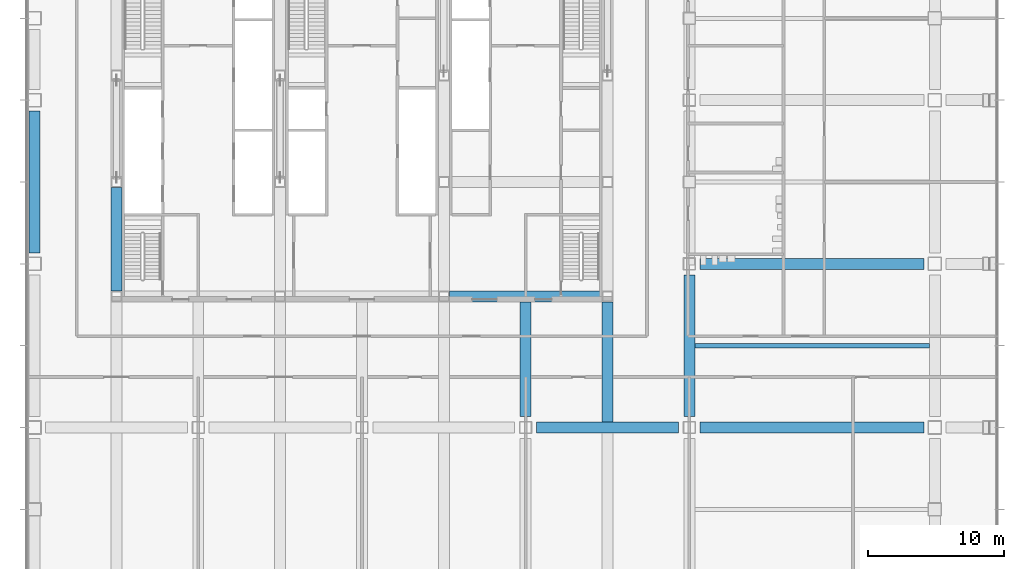
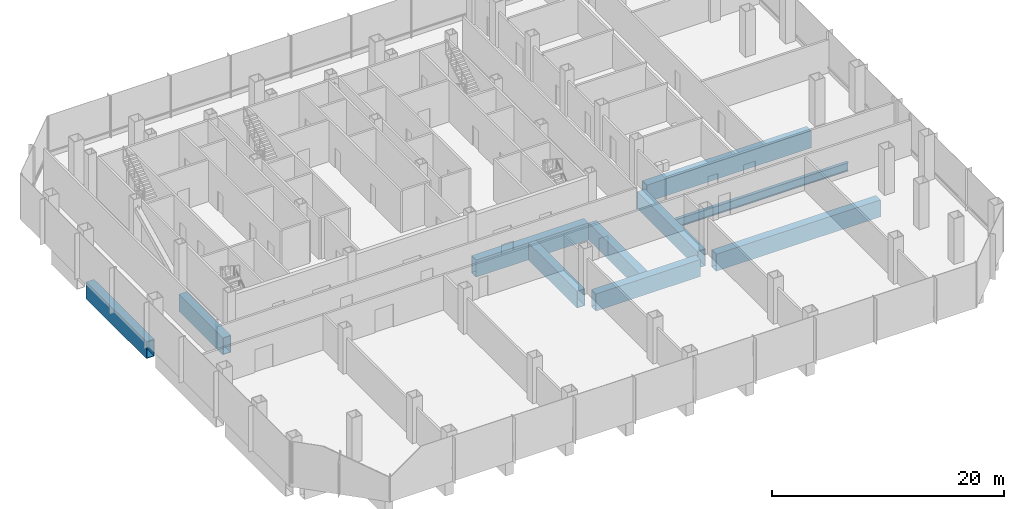
# One storey, part 9 of 34: 10 beams.
"""IFC4 building model written with IfcOpenShell, lengths in metres."""

from ifc_helpers import new_model, si_unit, direction, frame, origin, origin_2d, place, context, subcontext, project, spatial, hollow_rectangle, i_section, extrude, material, material_profile, profile_set, type_object, element, save


model = new_model("IFC4")

# Units and contexts
model_context = context("Model", 3, precision=1e-05, world=origin(), true_north=direction((0.0, 1.0)))
body_context = subcontext(model_context, "Body", "Model", "MODEL_VIEW")
ifc_project = project(units=[si_unit("LENGTHUNIT", "METRE"), si_unit("AREAUNIT", "SQUARE_METRE"), si_unit("VOLUMEUNIT", "CUBIC_METRE"), si_unit("PLANEANGLEUNIT", "RADIAN"), si_unit("MASSUNIT", "GRAM", prefix="KILO")], contexts=[model_context])

# Site, building, storey
site_placement = place(None, origin())
site = spatial("IfcSite", under=ifc_project, at=site_placement, CompositionType="ELEMENT")
building_placement = place(site_placement, origin())
building = spatial("IfcBuilding", under=site, at=building_placement, Name="Sorahane Residences", CompositionType="ELEMENT")
storey_placement = place(building_placement, frame((0.0, 0.0, 20.39990234375)))
storey = spatial("IfcBuildingStorey", under=building, at=storey_placement, Name="L02", CompositionType="ELEMENT", Elevation=20.39990234375)

# Beams
ifc_material_1 = material(Name="Steel Q355B", Category="steel")
ifc_material_profile_1 = material_profile(ifc_material_1, i_section(OverallWidth=0.300048828125, OverallDepth=0.89990234375, WebThickness=0.01611328125, FlangeThickness=0.028076171875, FilletRadius=0.028076171875, at=origin_2d()), Name="HN 900x300x16x28")
ifc_profile_set_1 = profile_set([ifc_material_profile_1], Name="Steel Q355B")
beam_type_1 = type_object("IfcBeamType", Name="Steel floor beam HN 900x300x16x28 Q355B", PredefinedType="BEAM", material=ifc_profile_set_1)
beam_1_placement = place(storey_placement, frame((48.400146484375, 18.0, -0.849853515625), z_axis=(1.0, 0.0, 0.0), x_axis=(0.0, 1.0, 0.0)))
element("IfcBeam", 1, at=beam_1_placement, inside=storey, type_object=beam_type_1, Name="Beam L02 081", PredefinedType="BEAM", context=body_context, shape_type="SweptSolid", body=[
    extrude(i_section(OverallWidth=0.300048828125, OverallDepth=0.89990234375, WebThickness=0.01611328125, FlangeThickness=0.028076171875, FilletRadius=0.028076171875, at=origin_2d()), origin(), (0.0, 0.0, 1.0), 17.19970703125),
])
ifc_material_2 = material(Name="Steel Q420GJ", Category="steel")
ifc_material_profile_2 = material_profile(ifc_material_2, hollow_rectangle(XDim=0.800048828125, YDim=1.800048828125, WallThickness=0.050048828125, at=origin_2d()), Name="BOX 1800x800x50")
ifc_profile_set_2 = profile_set([ifc_material_profile_2], Name="Steel Q420GJ")
beam_type_2 = type_object("IfcBeamType", Name="Steel transfer girder BOX 1800x800x50 Q420GJ", PredefinedType="BEAM", material=ifc_profile_set_2)
beam_2_placement = place(storey_placement, frame((36.800048828125, 12.0, -1.2998046875), z_axis=(1.0, 0.0, 0.0), x_axis=(0.0, 1.0, 0.0)))
element("IfcBeam", 2, at=beam_2_placement, inside=storey, type_object=beam_type_2, Name="Beam L02 009", PredefinedType="BEAM", context=body_context, shape_type="SweptSolid", body=[
    extrude(hollow_rectangle(XDim=0.800048828125, YDim=1.800048828125, WallThickness=0.050048828125, at=origin_2d()), origin(), (0.0, 0.0, 1.0), 10.39990234375),
])
for number, where, z_axis, x_axis, name in (
    (3, (48.800048828125, 12.0, -1.2998046875), (1.0, 0.0, 0.0), (0.0, 1.0, 0.0), "Beam L02 010"),
    (4, (48.800048828125, 24.0, -1.2998046875), (1.0, 0.0, 0.0), (0.0, 1.0, 0.0), "Beam L02 012"),
):
    element("IfcBeam", number, at=place(storey_placement, frame(where, z_axis=z_axis, x_axis=x_axis)), inside=storey, type_object=beam_type_2, Name=name, PredefinedType="BEAM", context=body_context, shape_type="SweptSolid", body=[
        extrude(hollow_rectangle(XDim=0.800048828125, YDim=1.800048828125, WallThickness=0.050048828125, at=origin_2d()), origin(), (0.0, 0.0, 1.0), 16.39990234375),
    ])
beam_3_placement = place(storey_placement, frame((30.39990234375, 21.60009765625, -1.2998046875), z_axis=(1.0, 0.0, 0.0), x_axis=(0.0, 1.0, 0.0)))
element("IfcBeam", 5, at=beam_3_placement, inside=storey, type_object=beam_type_2, Name="Beam L02 023", PredefinedType="BEAM", context=body_context, shape_type="SweptSolid", body=[
    extrude(hollow_rectangle(XDim=0.800048828125, YDim=1.800048828125, WallThickness=0.050048828125, at=origin_2d()), origin(), (0.0, 0.0, 1.0), 11.2001953125),
])
beam_4_placement = place(storey_placement, frame((0.0, 24.800048828125, -1.2998046875), z_axis=(0.0, 1.0, 0.0), x_axis=(-1.0, 0.0, 0.0)))
element("IfcBeam", 6, at=beam_4_placement, inside=storey, type_object=beam_type_2, Name="Beam L02 033", PredefinedType="BEAM", context=body_context, shape_type="SweptSolid", body=[
    extrude(hollow_rectangle(XDim=0.800048828125, YDim=1.800048828125, WallThickness=0.050048828125, at=origin_2d()), origin(), (0.0, 0.0, 1.0), 10.39990234375),
])
beam_5_placement = place(storey_placement, frame((36.0, 12.800048828125, -1.2998046875), z_axis=(0.0, 1.0, 0.0), x_axis=(-1.0, 0.0, 0.0)))
element("IfcBeam", 7, at=beam_5_placement, inside=storey, type_object=beam_type_2, Name="Beam L02 042", PredefinedType="BEAM", context=body_context, shape_type="SweptSolid", body=[
    extrude(hollow_rectangle(XDim=0.800048828125, YDim=1.800048828125, WallThickness=0.050048828125, at=origin_2d()), origin(), (0.0, 0.0, 1.0), 8.39990234375),
])
beam_6_placement = place(storey_placement, frame((48.0, 12.800048828125, -1.2998046875), z_axis=(0.0, 1.0, 0.0), x_axis=(-1.0, 0.0, 0.0)))
element("IfcBeam", 8, at=beam_6_placement, inside=storey, type_object=beam_type_2, Name="Beam L02 045", PredefinedType="BEAM", context=body_context, shape_type="SweptSolid", body=[
    extrude(hollow_rectangle(XDim=0.800048828125, YDim=1.800048828125, WallThickness=0.050048828125, at=origin_2d()), origin(), (0.0, 0.0, 1.0), 10.39990234375),
])
beam_7_placement = place(storey_placement, frame((6.0, 22.0, -1.2998046875), z_axis=(0.0, 1.0, 0.0), x_axis=(-1.0, 0.0, 0.0)))
element("IfcBeam", 9, at=beam_7_placement, inside=storey, type_object=beam_type_2, Name="Beam L02 057", PredefinedType="BEAM", context=body_context, shape_type="SweptSolid", body=[
    extrude(hollow_rectangle(XDim=0.800048828125, YDim=1.800048828125, WallThickness=0.050048828125, at=origin_2d()), origin(), (0.0, 0.0, 1.0), 7.60009765625),
])
beam_8_placement = place(storey_placement, frame((42.0, 12.39990234375, -1.2998046875), z_axis=(0.0, 1.0, 0.0), x_axis=(-1.0, 0.0, 0.0)))
element("IfcBeam", 10, at=beam_8_placement, inside=storey, type_object=beam_type_2, Name="Beam L02 074", PredefinedType="BEAM", context=body_context, shape_type="SweptSolid", body=[
    extrude(hollow_rectangle(XDim=0.800048828125, YDim=1.800048828125, WallThickness=0.050048828125, at=origin_2d()), origin(), (0.0, 0.0, 1.0), 8.800048828125),
])

save(model, "model.ifc")
